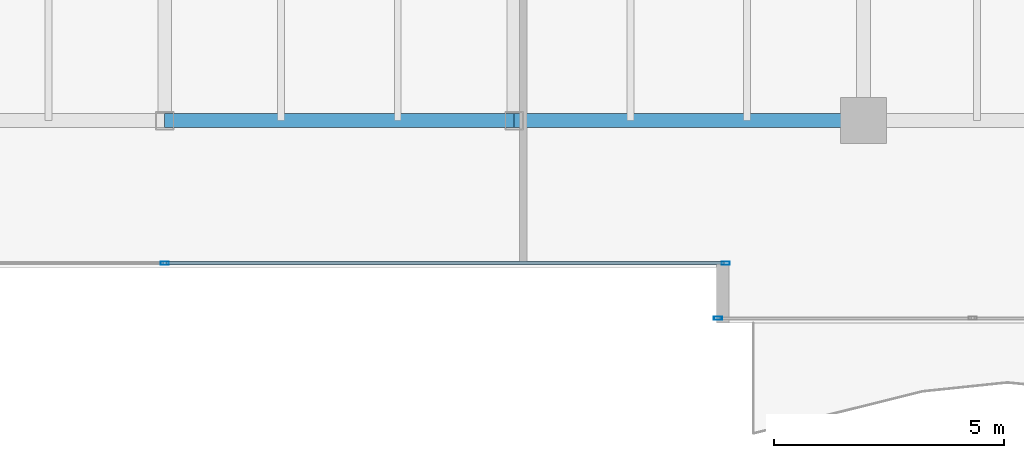
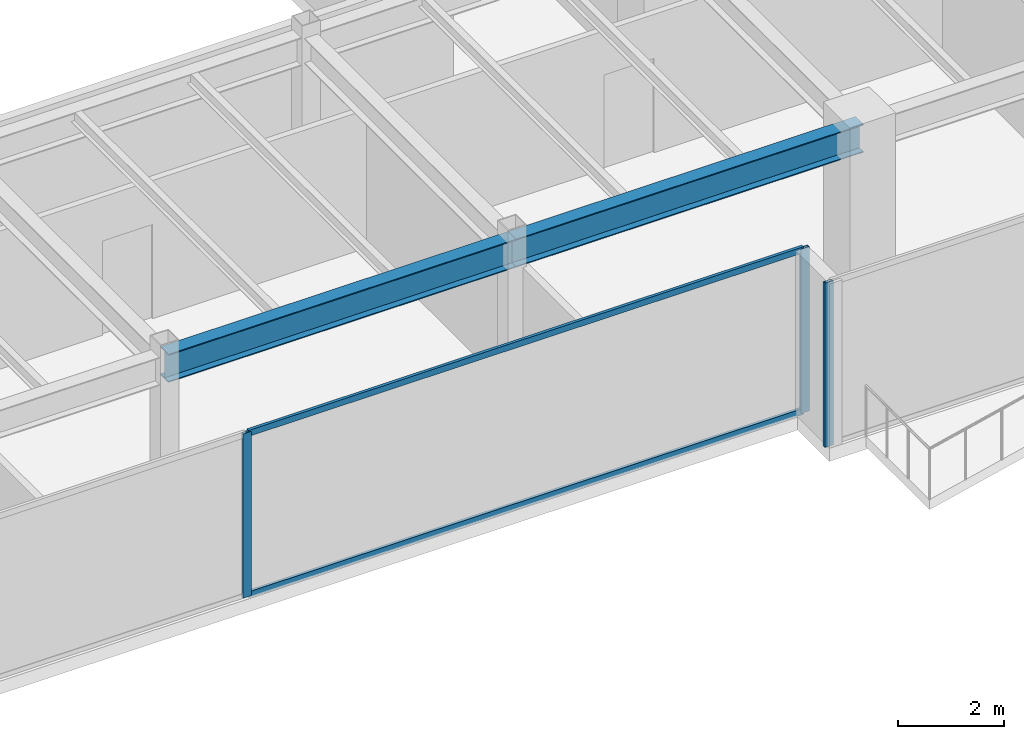
# One storey, part 10 of 34: 5 members, 2 beams, 2 elements without a shape of their own.
"""IFC4 building model written with IfcOpenShell, lengths in metres."""

from ifc_helpers import new_model, si_unit, direction, frame, origin, origin_2d, place, context, subcontext, project, spatial, hollow_rectangle, i_section, extrude, source, transform, mapped, material, layer, layer_set, material_profile, profile_set, type_object, type_shapes, element, aggregate, save


model = new_model("IFC4")

# Units and contexts
model_context = context("Model", 3, precision=1e-05, world=origin(), true_north=direction((0.0, 1.0)))
body_context = subcontext(model_context, "Body", "Model", "MODEL_VIEW")
ifc_project = project(units=[si_unit("LENGTHUNIT", "METRE"), si_unit("AREAUNIT", "SQUARE_METRE"), si_unit("VOLUMEUNIT", "CUBIC_METRE"), si_unit("PLANEANGLEUNIT", "RADIAN"), si_unit("MASSUNIT", "GRAM", prefix="KILO")], contexts=[model_context])

# Site, building, storey
site_placement = place(None, origin())
site = spatial("IfcSite", under=ifc_project, at=site_placement, CompositionType="ELEMENT")
building_placement = place(site_placement, origin())
building = spatial("IfcBuilding", under=site, at=building_placement, Name="Haelvirn Gate Laboratories", CompositionType="ELEMENT")
storey_placement = place(building_placement, frame((0.0, 0.0, 205.5)))
storey = spatial("IfcBuildingStorey", under=building, at=storey_placement, Name="L49", CompositionType="ELEMENT", Elevation=205.5)

# Beams
ifc_material_1 = material(Name="Steel SM355", Category="steel")
ifc_material_profile_1 = material_profile(ifc_material_1, i_section(OverallWidth=0.300048828125, OverallDepth=0.64990234375, WebThickness=0.012939453125, FlangeThickness=0.02197265625, at=origin_2d()), Name="H-650x300x13x22")
ifc_profile_set_1 = profile_set([ifc_material_profile_1], Name="Steel SM355")
beam_type = type_object("IfcBeamType", Name="BM-G-650", PredefinedType="BEAM", material=ifc_profile_set_1)
shared_shape_1 = source(origin(), body_context, "Body", "SweptSolid", [
    extrude(i_section(OverallWidth=0.300048828125, OverallDepth=0.64990234375, WebThickness=0.012939453125, FlangeThickness=0.02197265625, at=origin_2d()), origin(), (0.0, 0.0, 1.0), 7.60009765625),
])
type_shapes(beam_type, [shared_shape_1])
for number, where, z_axis, x_axis, name in (
    (1, (37.39990234375, 7.0, 3.47509765625), (1.0, 0.0, 0.0), (0.0, 1.0, 0.0), "L49 Primary Girder Y7.0 (37.4-45.0)"),
    (2, (45.0, 7.0, 3.47509765625), (1.0, 0.0, 0.0), (0.0, 1.0, 0.0), "L49 Primary Girder Y7.0 (45.0-52.6)"),
):
    element("IfcBeam", number, at=place(storey_placement, frame(where, z_axis=z_axis, x_axis=x_axis)), inside=storey, type_object=beam_type, Name=name, PredefinedType="BEAM", context=body_context, shape_type="MappedRepresentation", body=[
        mapped(shared_shape_1, transform((0.0, 0.0, 0.0), scale=1.0)),
    ])

# Curtain wall, members
ifc_material_2 = material(Name="Anodised bronze unitised aluminium & triple low-E glass", Category="aluminium")
ifc_layer = layer(ifc_material_2, 0.176025390625, Name="CW-SYS-4")
ifc_layer_set = layer_set([ifc_layer], Name="Anodised bronze unitised aluminium & triple low-E glass")
curtain_wall_type = type_object("IfcCurtainWallType", Name="CW-SYS-4", PredefinedType="NOTDEFINED", material=ifc_layer_set)
curtain_wall_1_placement = place(storey_placement, origin())
curtain_wall_1 = element("IfcCurtainWall", 3, at=curtain_wall_1_placement, inside=storey, type_object=curtain_wall_type, Name="L49 Unitised Curtain Wall CW-L49-P0-E02-1", PredefinedType="NOTDEFINED")
ifc_material_3 = material(Name="Extruded aluminium 6063-T6 (anodised bronze)", Category="aluminium")
ifc_material_profile_2 = material_profile(ifc_material_3, hollow_rectangle(XDim=0.06494140625, YDim=0.139892578125, WallThickness=0.00390625, at=origin_2d()), Name="CWT-140x65x4")
ifc_profile_set_2 = profile_set([ifc_material_profile_2], Name="Extruded aluminium 6063-T6 (anodised bronze)")
member_type_1 = type_object("IfcMemberType", Name="CWT-T140", PredefinedType="USERDEFINED", material=ifc_profile_set_2)
shared_shape_2 = source(origin(), body_context, "Body", "SweptSolid", [
    extrude(hollow_rectangle(XDim=0.06494140625, YDim=0.139892578125, WallThickness=0.00390625, at=origin_2d()), origin(), (0.0, 0.0, 1.0), 12.135009765625),
])
type_shapes(member_type_1, [shared_shape_2])
member_1_placement = place(storey_placement, frame((37.43505859375, 3.89990234375, 0.032470703125), z_axis=(1.0, 0.0, 0.0), x_axis=(0.0, 1.0, 0.0)))
member_1 = element("IfcMember", 4, at=member_1_placement, type_object=member_type_1, Name="CW4 transom 2.1", ObjectType="TRANSOM", PredefinedType="USERDEFINED", context=body_context, shape_type="MappedRepresentation", body=[
    mapped(shared_shape_2, transform((0.0, 0.0, 0.0), scale=1.0)),
])
member_2_placement = place(storey_placement, frame((37.43505859375, 3.89990234375, 3.767578125), z_axis=(1.0, 0.0, 0.0), x_axis=(0.0, 1.0, 0.0)))
member_2 = element("IfcMember", 5, at=member_2_placement, type_object=member_type_1, Name="CW4 transom 2.2", ObjectType="TRANSOM", PredefinedType="USERDEFINED", context=body_context, shape_type="MappedRepresentation", body=[
    mapped(shared_shape_2, transform((0.0, 0.0, 0.0), scale=1.0)),
])
ifc_material_profile_3 = material_profile(ifc_material_3, hollow_rectangle(XDim=0.070068359375, YDim=0.179931640625, WallThickness=0.0048828125, at=origin_2d()), Name="CWM-180x70x5")
ifc_profile_set_3 = profile_set([ifc_material_profile_3], Name="Extruded aluminium 6063-T6 (anodised bronze)")
member_type_2 = type_object("IfcMemberType", Name="CWM-T180", PredefinedType="MULLION", material=ifc_profile_set_3)
shared_shape_3 = source(origin(), body_context, "Body", "SweptSolid", [
    extrude(hollow_rectangle(XDim=0.070068359375, YDim=0.179931640625, WallThickness=0.0048828125, at=origin_2d()), origin(), (0.0, 0.0, 1.0), 3.800048828125),
])
type_shapes(member_type_2, [shared_shape_3])
member_3_placement = place(storey_placement, frame((37.39990234375, 3.89990234375, 0.0), z_axis=(0.0, 0.0, 1.0), x_axis=(0.0, 1.0, 0.0)))
member_3 = element("IfcMember", 6, at=member_3_placement, type_object=member_type_2, Name="CW4 mullion 2", PredefinedType="MULLION", context=body_context, shape_type="MappedRepresentation", body=[
    mapped(shared_shape_3, transform((0.0, 0.0, 0.0), scale=1.0)),
])
member_4_placement = place(storey_placement, frame((49.60498046875, 3.89990234375, 0.0), z_axis=(0.0, 0.0, 1.0), x_axis=(0.0, 1.0, 0.0)))
member_4 = element("IfcMember", 7, at=member_4_placement, type_object=member_type_2, Name="CW4 mullion 3", PredefinedType="MULLION", context=body_context, shape_type="MappedRepresentation", body=[
    mapped(shared_shape_3, transform((0.0, 0.0, 0.0), scale=1.0)),
])
aggregate(curtain_wall_1, [member_3, member_4, member_1, member_2])

# Curtain wall, member
curtain_wall_2_placement = place(storey_placement, origin())
curtain_wall_2 = element("IfcCurtainWall", 8, at=curtain_wall_2_placement, inside=storey, type_object=curtain_wall_type, Name="L49 Unitised Curtain Wall CW-L49-P0-E04-1", PredefinedType="NOTDEFINED")
member_5_placement = place(storey_placement, frame((49.43505859375, 2.699951171875, 0.0), z_axis=(0.0, 0.0, 1.0), x_axis=(0.0, 1.0, 0.0)))
member_5 = element("IfcMember", 9, at=member_5_placement, type_object=member_type_2, Name="CW4 mullion 1", PredefinedType="MULLION", context=body_context, shape_type="MappedRepresentation", body=[
    mapped(shared_shape_3, transform((0.0, 0.0, 0.0), scale=1.0)),
])
aggregate(curtain_wall_2, [member_5])

save(model, "model.ifc")
